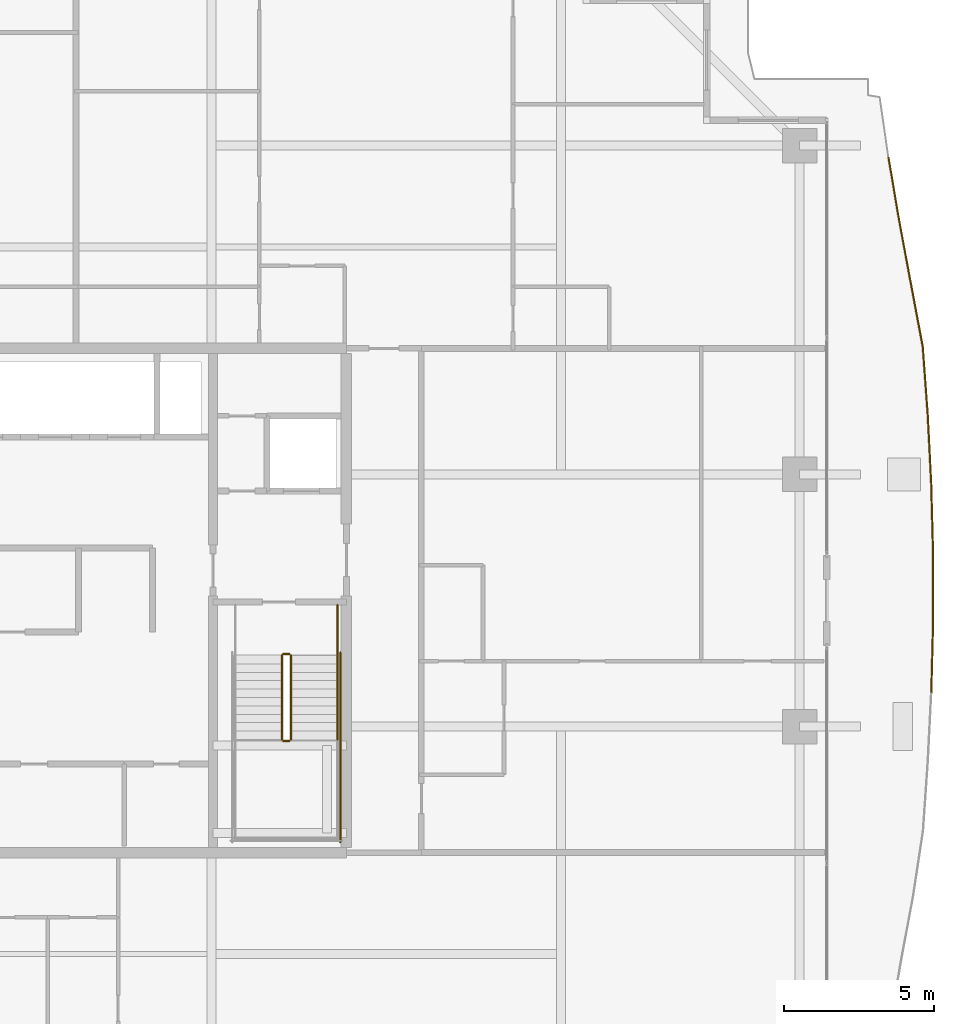
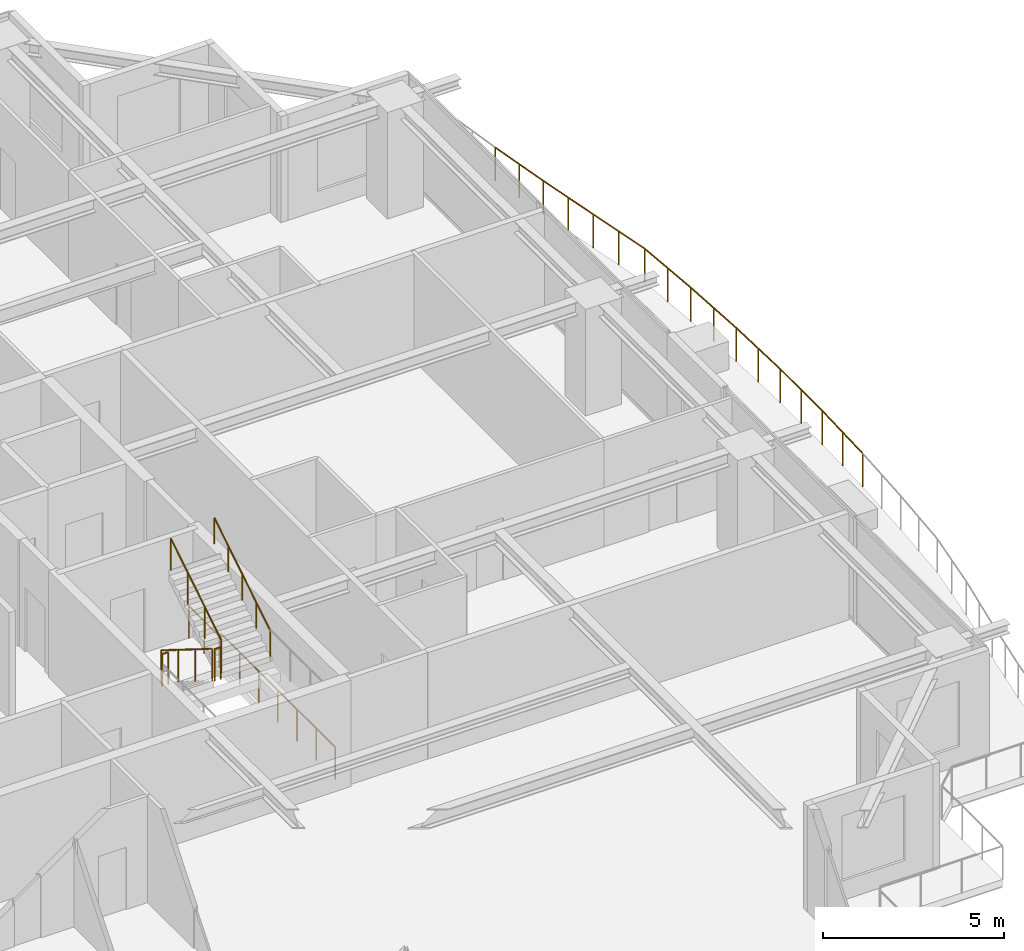
# One storey, part 36 of 37: 8 railings.
"""IFC4 building model written with IfcOpenShell, lengths in metres."""

import ifcopenshell
import ifcopenshell.guid

model = None  # the IFC model being written
_history = None  # IfcOwnerHistory: only IFC2X3 demands one
_inside = {}  # id of a spatial element -> (the spatial element, [elements in it])
_under = {}  # id of a project, library or spatial element -> (it, [spatial elements below it])
_declared = {}  # id of a project -> (the project, [libraries it declares])
_typed = {}  # id of a type object -> (the type object, [elements of that type])
_made_of = {}  # id of a material, layer set ... -> (it, [elements and type objects made of it])


def new_model(schema):
    """Start an empty IFC model of exactly this schema.

    Asked for "IFC4X3", IfcOpenShell would pick the latest addendum, in which some entities
    have other attributes; the version numbers below select the first issue.
    IFC2X3 requires an IfcOwnerHistory on every rooted entity: one is made here for all.
    """
    global model, _history
    if schema == "IFC4X3":
        model = ifcopenshell.file(schema_version=(4, 3, 0, 0))
    else:
        model = ifcopenshell.file(schema=schema)
    _inside.clear()
    _under.clear()
    _declared.clear()
    _typed.clear()
    _made_of.clear()
    _history = None
    if model.schema == "IFC2X3":
        org = make("IfcOrganization", Name="unknown")
        user = make(
            "IfcPersonAndOrganization",
            ThePerson=make("IfcPerson", FamilyName="unknown"),
            TheOrganization=org,
        )
        app = make(
            "IfcApplication",
            ApplicationDeveloper=org,
            Version="unknown",
            ApplicationFullName="unknown",
            ApplicationIdentifier="unknown",
        )
        _history = make(
            "IfcOwnerHistory",
            OwningUser=user,
            OwningApplication=app,
            ChangeAction="ADDED",
            CreationDate=0,
        )
    return model


def make(cls, **values):
    """One entity of the class cls with the attributes given. An attribute that is None is left unset."""
    return model.create_entity(
        cls, **{name: value for name, value in values.items() if value is not None}
    )


def rooted(cls, **values):
    """An entity with a GlobalId (a new one), such as an element, a storey or a relation."""
    return make(cls, GlobalId=ifcopenshell.guid.new(), OwnerHistory=_history, **values)


def si_unit(unit_type, name, prefix=None):
    """IfcSIUnit, for example si_unit("LENGTHUNIT", "METRE", prefix="MILLI")."""
    return make("IfcSIUnit", UnitType=unit_type, Prefix=prefix, Name=name)


def assignment(units):
    """IfcUnitAssignment: the units of a project."""
    return None if units is None else make("IfcUnitAssignment", Units=units)


def point(xyz):
    """IfcCartesianPoint."""
    return None if xyz is None else make("IfcCartesianPoint", Coordinates=xyz)


def direction(xyz):
    """IfcDirection."""
    return None if xyz is None else make("IfcDirection", DirectionRatios=xyz)


def frame(location, z_axis=None, x_axis=None):
    """IfcAxis2Placement3D, a coordinate frame: its origin and axes. An axis left out is left unset."""
    return make(
        "IfcAxis2Placement3D",
        Location=point(location),
        Axis=direction(z_axis),
        RefDirection=direction(x_axis),
    )


def frame_2d(location, x_axis=None):
    """IfcAxis2Placement2D, a coordinate frame in the plane: its origin and x axis."""
    return make(
        "IfcAxis2Placement2D", Location=point(location), RefDirection=direction(x_axis)
    )


def origin():
    """The frame at (0, 0, 0) with its axes left unset."""
    return frame((0.0, 0.0, 0.0))


def origin_2d():
    """The frame at (0, 0) in the plane with its x axis left unset."""
    return frame_2d((0.0, 0.0))


def place(relative_to, where):
    """IfcLocalPlacement: puts the frame where relative to a parent placement (None: the world)."""
    return make(
        "IfcLocalPlacement", PlacementRelTo=relative_to, RelativePlacement=where
    )


def context(
    kind, dimensions, precision=None, world=None, true_north=None, identifier=None
):
    """IfcGeometricRepresentationContext, for example the 3D "Model" context."""
    return make(
        "IfcGeometricRepresentationContext",
        ContextIdentifier=identifier,
        ContextType=kind,
        CoordinateSpaceDimension=dimensions,
        Precision=precision,
        WorldCoordinateSystem=world,
        TrueNorth=true_north,
    )


def subcontext(parent, identifier, kind, view, scale=None):
    """IfcGeometricRepresentationSubContext, for example "Body" below "Model"."""
    return make(
        "IfcGeometricRepresentationSubContext",
        ContextIdentifier=identifier,
        ContextType=kind,
        ParentContext=parent,
        TargetScale=scale,
        TargetView=view,
    )


def project(units=None, contexts=None):
    """IfcProject with its units and contexts."""
    return rooted(
        "IfcProject",
        Name="project",
        RepresentationContexts=contexts,
        UnitsInContext=assignment(units),
    )


def spatial(cls, under=None, at=None, **own):
    """A site, building, storey or space (cls), placed at a placement, below another one or the project."""
    s = rooted(cls, ObjectPlacement=at, **own)
    if under is not None:
        _under.setdefault(under.id(), (under, []))[1].append(s)
    return s


def profile(cls, at=None, kind="AREA", **sizes):
    """A parametric profile (cls). Its sizes go by their IFC names, for example OverallWidth=200.0."""
    return make(cls, ProfileType=kind, Position=at, **sizes)


def circle(**sizes):
    """IfcCircleProfileDef."""
    return profile("IfcCircleProfileDef", **sizes)


def extrude(swept, where, along, depth):
    """IfcExtrudedAreaSolid: the profile swept, set in the frame where, extruded along a direction by depth."""
    return make(
        "IfcExtrudedAreaSolid",
        SweptArea=swept,
        Position=where,
        ExtrudedDirection=direction(along),
        Depth=depth,
    )


def shape(context_of_items, identifier, shape_type, items):
    """IfcShapeRepresentation: the items that make up one representation, for example the "Body"."""
    return make(
        "IfcShapeRepresentation",
        ContextOfItems=context_of_items,
        RepresentationIdentifier=identifier,
        RepresentationType=shape_type,
        Items=items,
    )


def material(Name=None, Category=None):
    """IfcMaterial."""
    return make("IfcMaterial", Name=Name, Category=Category)


def made_of(thing, what):
    """Note that an element or type object is made of a material, layer set ...; save() writes the relation."""
    if what is not None:
        _made_of.setdefault(what.id(), (what, []))[1].append(thing)
    return thing


def type_object(cls, material=None, **own):
    """A type object (cls), such as IfcWallType, which elements share."""
    return made_of(rooted(cls, **own), material)


def element(
    cls,
    number,
    at=None,
    inside=None,
    cuts=None,
    type_object=None,
    material=None,
    context=None,
    identifier="Body",
    shape_type=None,
    held_by="IfcProductDefinitionShape",
    body=None,
    shapes=None,
    **own,
):
    """One element of the class cls, such as IfcWall. Its Tag is "e" and its number.

    at: its placement. inside: the storey or other place that contains it. cuts: it is an
    opening in that element (IfcRelVoidsElement). A single representation is given by context,
    identifier, shape_type and body (its items); several are given by shapes. held_by: the class
    of the entity that holds the representations. save() writes the other relations.
    """
    e = rooted(cls, Tag="e%d" % number, ObjectPlacement=at, **own)
    if body is not None:
        shapes = [shape(context, identifier, shape_type, body)]
    if shapes is not None:
        e.Representation = make(held_by, Representations=shapes)
    if inside is not None:
        _inside.setdefault(inside.id(), (inside, []))[1].append(e)
    if cuts is not None:
        rooted(
            "IfcRelVoidsElement", RelatingBuildingElement=cuts, RelatedOpeningElement=e
        )
    if type_object is not None:
        _typed.setdefault(type_object.id(), (type_object, []))[1].append(e)
    return made_of(e, material)


def aggregate(whole, parts):
    """IfcRelAggregates: a whole, such as a stair, and the parts it consists of."""
    return rooted("IfcRelAggregates", RelatingObject=whole, RelatedObjects=parts)


def save(model, path):
    """Write the relations noted so far, then the file.

    IfcRelAggregates (storeys below a building ...), IfcRelContainedInSpatialStructure (elements
    in a storey), IfcRelDefinesByType, IfcRelAssociatesMaterial and IfcRelDeclares: one each for
    every whole, place, type object, material and project.
    """
    for whole, parts in _under.values():
        aggregate(whole, parts)
    for where, things in _inside.values():
        rooted(
            "IfcRelContainedInSpatialStructure",
            RelatedElements=things,
            RelatingStructure=where,
        )
    for kind, things in _typed.values():
        rooted("IfcRelDefinesByType", RelatedObjects=things, RelatingType=kind)
    for what, things in _made_of.values():
        rooted("IfcRelAssociatesMaterial", RelatedObjects=things, RelatingMaterial=what)
    for by, libraries in _declared.values():
        rooted("IfcRelDeclares", RelatingContext=by, RelatedDefinitions=libraries)
    model.write(path)


model = new_model("IFC4")

# Units and contexts
model_context = context("Model", 3, precision=1e-05, world=origin(), true_north=direction((0.0, 1.0)))
body_context = subcontext(model_context, "Body", "Model", "MODEL_VIEW")
ifc_project = project(units=[si_unit("LENGTHUNIT", "METRE"), si_unit("AREAUNIT", "SQUARE_METRE"), si_unit("VOLUMEUNIT", "CUBIC_METRE"), si_unit("PLANEANGLEUNIT", "RADIAN"), si_unit("MASSUNIT", "GRAM", prefix="KILO")], contexts=[model_context])

# Site, building, storey
site_placement = place(None, origin())
site = spatial("IfcSite", under=ifc_project, at=site_placement, CompositionType="ELEMENT")
building_placement = place(site_placement, origin())
building = spatial("IfcBuilding", under=site, at=building_placement, Name="Serunith Strait Residences", CompositionType="ELEMENT")
storey_placement = place(building_placement, frame((0.0, 0.0, 233.550048828125)))
storey = spatial("IfcBuildingStorey", under=building, at=storey_placement, Name="L58", CompositionType="ELEMENT", Elevation=233.550048828125)

# Railings
ifc_material_1 = material(Name="Stainless Steel & Laminated Glass Balustrade", Category="steel")
railing_type_1 = type_object("IfcRailingType", Name="RLG-BALC-1150", PredefinedType="BALUSTRADE", material=ifc_material_1)
railing_1_placement = place(storey_placement, frame((59.460205078125, 39.94775390625, -0.050048828125)))
element("IfcRailing", 1, at=railing_1_placement, inside=storey, type_object=railing_type_1, Name="L58 Swirling Balcony Perimeter Balustrade 5", PredefinedType="BALUSTRADE", context=body_context, shape_type="SweptSolid", body=[
    extrude(circle(Radius=0.02392578125, at=origin_2d()), frame((0.000244140625, -0.001953125, 1.1259765625), z_axis=(0.166436675375, -0.986052145219, 0.0), x_axis=(0.986052145219, 0.166436675375, 0.0)), (0.0, 0.0, 1.0), 2.074462890625),
    extrude(circle(Radius=0.02392578125, at=origin_2d()), frame((0.34619140625, -2.051513671875, 1.1259765625), z_axis=(0.182714307388, -0.983166050002, 0.0), x_axis=(0.983166050002, 0.182714307388, 0.0)), (0.0, 0.0, 1.0), 2.121826171875),
    extrude(circle(Radius=0.02392578125, at=origin_2d()), frame((0.73486328125, -4.1416015625, 1.1259765625), z_axis=(0.184935795655, -0.982750604928, 0.0), x_axis=(0.982750604928, 0.184935795655, 0.0)), (0.0, 0.0, 1.0), 2.18212890625),
    extrude(circle(Radius=0.02392578125, at=origin_2d()), frame((1.138916015625, -6.2900390625, 1.1259765625), z_axis=(0.073048610449, -0.997328381483, 0.0), x_axis=(0.997328381483, 0.073048610449, 0.0)), (0.0, 0.0, 1.0), 2.2685546875),
    extrude(circle(Radius=0.02392578125, at=origin_2d()), frame((1.3046875, -8.556640625, 1.1259765625), z_axis=(0.05066180453, -0.998715866281, 0.0), x_axis=(0.998715866281, 0.05066180453, 0.0)), (0.0, 0.0, 1.0), 2.299560546875),
    extrude(circle(Radius=0.02392578125, at=origin_2d()), frame((1.42138671875, -10.857177734375, 1.1259765625), z_axis=(0.026480776761, -0.999649322744, 0.0), x_axis=(0.999649322744, 0.026480776761, 0.0)), (0.0, 0.0, 1.0), 2.3193359375),
    extrude(circle(Radius=0.02392578125, at=origin_2d()), frame((1.48291015625, -13.1796875, 1.1259765625), z_axis=(0.000209446011, -0.999999978066, 0.0), x_axis=(0.999999978066, 0.000209446011, 0.0)), (0.0, 0.0, 1.0), 2.327392578125),
    extrude(circle(Radius=0.02392578125, at=origin_2d()), frame((1.4833984375, -15.510986328125, 1.1259765625), z_axis=(-0.025829002039, -0.999666375674, 0.0), x_axis=(0.999666375674, -0.025829002039, 0.0)), (0.0, 0.0, 1.0), 2.3212890625),
    extrude(circle(Radius=0.02099609375, at=origin_2d()), origin(), (0.0, 0.0, 1.0), 1.099853515625),
    extrude(circle(Radius=0.02099609375, at=origin_2d()), frame((0.1728515625, -1.02490234375, 0.0)), (0.0, 0.0, 1.0), 1.099853515625),
    extrude(circle(Radius=0.02099609375, at=origin_2d()), frame((0.345947265625, -2.049560546875, 0.0)), (0.0, 0.0, 1.0), 1.099853515625),
    extrude(circle(Radius=0.02099609375, at=origin_2d()), frame((0.5400390625, -3.0947265625, 0.0)), (0.0, 0.0, 1.0), 1.099853515625),
    extrude(circle(Radius=0.02099609375, at=origin_2d()), frame((0.734375, -4.1396484375, 0.0)), (0.0, 0.0, 1.0), 1.099853515625),
    extrude(circle(Radius=0.02099609375, at=origin_2d()), frame((0.9365234375, -5.2138671875, 0.0)), (0.0, 0.0, 1.0), 1.099853515625),
    extrude(circle(Radius=0.02099609375, at=origin_2d()), frame((1.138671875, -6.2880859375, 0.0)), (0.0, 0.0, 1.0), 1.099853515625),
    extrude(circle(Radius=0.02099609375, at=origin_2d()), frame((1.2216796875, -7.42138671875, 0.0)), (0.0, 0.0, 1.0), 1.099853515625),
    extrude(circle(Radius=0.02099609375, at=origin_2d()), frame((1.3046875, -8.5546875, 0.0)), (0.0, 0.0, 1.0), 1.099853515625),
    extrude(circle(Radius=0.02099609375, at=origin_2d()), frame((1.363037109375, -9.705078125, 0.0)), (0.0, 0.0, 1.0), 1.099853515625),
    extrude(circle(Radius=0.02099609375, at=origin_2d()), frame((1.42138671875, -10.855224609375, 0.0)), (0.0, 0.0, 1.0), 1.099853515625),
    extrude(circle(Radius=0.02099609375, at=origin_2d()), frame((1.4521484375, -12.0166015625, 0.0)), (0.0, 0.0, 1.0), 1.099853515625),
    extrude(circle(Radius=0.02099609375, at=origin_2d()), frame((1.48291015625, -13.177734375, 0.0)), (0.0, 0.0, 1.0), 1.099853515625),
    extrude(circle(Radius=0.02099609375, at=origin_2d()), frame((1.483154296875, -14.34326171875, 0.0)), (0.0, 0.0, 1.0), 1.099853515625),
    extrude(circle(Radius=0.02099609375, at=origin_2d()), frame((1.4833984375, -15.509033203125, 0.0)), (0.0, 0.0, 1.0), 1.099853515625),
    extrude(circle(Radius=0.02099609375, at=origin_2d()), frame((1.453369140625, -16.67138671875, 0.0)), (0.0, 0.0, 1.0), 1.099853515625),
    extrude(circle(Radius=0.02099609375, at=origin_2d()), frame((1.42333984375, -17.83349609375, 0.0)), (0.0, 0.0, 1.0), 1.099853515625),
])
ifc_material_2 = material(Name="Brushed stainless steel 316L", Category="steel")
railing_type_2 = type_object("IfcRailingType", Name="RLG-STAIR-GUARD", PredefinedType="BALUSTRADE", material=ifc_material_2)
railing_2_placement = place(storey_placement, frame((39.25, 23.3701171875, 0.175048828125)))
element("IfcRailing", 2, at=railing_2_placement, inside=storey, type_object=railing_type_2, Name="L58 ST-2 stair guard 1", PredefinedType="BALUSTRADE", context=body_context, shape_type="SweptSolid", body=[
    extrude(circle(Radius=0.02392578125, at=origin_2d()), frame((0.0, -0.001708984375, 1.0771484375), z_axis=(0.0, -0.848002457836, 0.529992293815), x_axis=(1.0, 0.0, 0.0)), (0.0, 0.0, 1.0), 3.2978515625),
    extrude(circle(Radius=0.02099609375, at=origin_2d()), origin(), (0.0, 0.0, 1.0), 1.050048828125),
    extrude(circle(Radius=0.02099609375, at=origin_2d()), frame((0.0, -0.933349609375, 0.583251953125)), (0.0, 0.0, 1.0), 1.050048828125),
    extrude(circle(Radius=0.02099609375, at=origin_2d()), frame((0.0, -1.86669921875, 1.166748046875)), (0.0, 0.0, 1.0), 1.050048828125),
    extrude(circle(Radius=0.02099609375, at=origin_2d()), frame((0.0, -2.800048828125, 1.75)), (0.0, 0.0, 1.0), 1.050048828125),
])
railing_3_placement = place(storey_placement, frame((39.300048828125, 20.52001953125, 1.925048828125)))
element("IfcRailing", 3, at=railing_3_placement, inside=storey, type_object=railing_type_2, Name="L58 ST-2 stair guard 2", PredefinedType="BALUSTRADE", context=body_context, shape_type="SweptSolid", body=[
    extrude(circle(Radius=0.02392578125, at=origin_2d()), frame((0.001953125, 0.0, 1.076171875), z_axis=(1.0, 0.0, 0.0), x_axis=(0.0, 1.0, 0.0)), (0.0, 0.0, 1.0), 0.196044921875),
    extrude(circle(Radius=0.02099609375, at=origin_2d()), origin(), (0.0, 0.0, 1.0), 1.050048828125),
    extrude(circle(Radius=0.02099609375, at=origin_2d()), frame((0.199951171875, 0.0, 0.0)), (0.0, 0.0, 1.0), 1.050048828125),
])
railing_4_placement = place(storey_placement, frame((39.550048828125, 20.570068359375, 2.099853515625)))
element("IfcRailing", 4, at=railing_4_placement, inside=storey, type_object=railing_type_2, Name="L58 ST-2 stair guard 6", PredefinedType="BALUSTRADE", context=body_context, shape_type="SweptSolid", body=[
    extrude(circle(Radius=0.02392578125, at=origin_2d()), frame((0.0, 0.001708984375, 1.0771484375), z_axis=(0.0, 0.848002457836, 0.529992293815), x_axis=(-1.0, 0.0, 0.0)), (0.0, 0.0, 1.0), 3.2978515625),
    extrude(circle(Radius=0.02099609375, at=origin_2d()), origin(), (0.0, 0.0, 1.0), 1.050048828125),
    extrude(circle(Radius=0.02099609375, at=origin_2d()), frame((0.0, 0.933349609375, 0.583251953125)), (0.0, 0.0, 1.0), 1.050048828125),
    extrude(circle(Radius=0.02099609375, at=origin_2d()), frame((0.0, 1.86669921875, 1.166748046875)), (0.0, 0.0, 1.0), 1.050048828125),
    extrude(circle(Radius=0.02099609375, at=origin_2d()), frame((0.0, 2.800048828125, 1.75)), (0.0, 0.0, 1.0), 1.050048828125),
])
railing_5_placement = place(storey_placement, frame((39.300048828125, 23.419921875, 0.0)))
element("IfcRailing", 5, at=railing_5_placement, inside=storey, type_object=railing_type_2, Name="L58 ST-2 stair guard 7", PredefinedType="BALUSTRADE", context=body_context, shape_type="SweptSolid", body=[
    extrude(circle(Radius=0.02392578125, at=origin_2d()), frame((0.001953125, 0.0, 1.076171875), z_axis=(1.0, 0.0, 0.0), x_axis=(0.0, 1.0, 0.0)), (0.0, 0.0, 1.0), 0.196044921875),
    extrude(circle(Radius=0.02099609375, at=origin_2d()), origin(), (0.0, 0.0, 1.0), 1.050048828125),
    extrude(circle(Radius=0.02099609375, at=origin_2d()), frame((0.199951171875, 0.0, 0.0)), (0.0, 0.0, 1.0), 1.050048828125),
])
railing_6_placement = place(storey_placement, frame((41.10009765625, 25.050048828125, 0.0)))
element("IfcRailing", 6, at=railing_6_placement, inside=storey, type_object=railing_type_2, Name="L58 ST-2 stair guard 9", PredefinedType="BALUSTRADE", context=body_context, shape_type="SweptSolid", body=[
    extrude(circle(Radius=0.02392578125, at=origin_2d()), frame((0.0, -0.001953125, 1.076171875), z_axis=(0.0, -1.0, 0.0), x_axis=(1.0, 0.0, 0.0)), (0.0, 0.0, 1.0), 1.676025390625),
    extrude(circle(Radius=0.02099609375, at=origin_2d()), origin(), (0.0, 0.0, 1.0), 1.050048828125),
    extrude(circle(Radius=0.02099609375, at=origin_2d()), frame((0.0, -0.83984375, 0.0)), (0.0, 0.0, 1.0), 1.050048828125),
    extrude(circle(Radius=0.02099609375, at=origin_2d()), frame((0.0, -1.679931640625, 0.0)), (0.0, 0.0, 1.0), 1.050048828125),
])
railing_7_placement = place(storey_placement, frame((41.199951171875, 23.469970703125, 0.0)))
element("IfcRailing", 7, at=railing_7_placement, inside=storey, type_object=railing_type_2, Name="L58 ST-2 stair guard 11", PredefinedType="BALUSTRADE", context=body_context, shape_type="SweptSolid", body=[
    extrude(circle(Radius=0.02392578125, at=origin_2d()), frame((0.0, -0.001953125, 1.076171875), z_axis=(0.0, -1.0, 0.0), x_axis=(1.0, 0.0, 0.0)), (0.0, 0.0, 1.0), 6.316162109375),
    extrude(circle(Radius=0.02099609375, at=origin_2d()), origin(), (0.0, 0.0, 1.0), 1.050048828125),
    extrude(circle(Radius=0.02099609375, at=origin_2d()), frame((0.0, -1.05322265625, 0.0)), (0.0, 0.0, 1.0), 1.050048828125),
    extrude(circle(Radius=0.02099609375, at=origin_2d()), frame((0.0, -2.106689453125, 0.0)), (0.0, 0.0, 1.0), 1.050048828125),
    extrude(circle(Radius=0.02099609375, at=origin_2d()), frame((0.0, -3.16015625, 0.0)), (0.0, 0.0, 1.0), 1.050048828125),
    extrude(circle(Radius=0.02099609375, at=origin_2d()), frame((0.0, -4.21337890625, 0.0)), (0.0, 0.0, 1.0), 1.050048828125),
    extrude(circle(Radius=0.02099609375, at=origin_2d()), frame((0.0, -5.2666015625, 0.0)), (0.0, 0.0, 1.0), 1.050048828125),
    extrude(circle(Radius=0.02099609375, at=origin_2d()), frame((0.0, -6.320068359375, 0.0)), (0.0, 0.0, 1.0), 1.050048828125),
])
railing_type_3 = type_object("IfcRailingType", Name="RLG-STAIR-HR", PredefinedType="HANDRAIL", material=ifc_material_2)
railing_8_placement = place(storey_placement, frame((41.10009765625, 20.570068359375, 2.099853515625)))
element("IfcRailing", 8, at=railing_8_placement, inside=storey, type_object=railing_type_3, Name="L58 ST-2 stair handrail 2", PredefinedType="HANDRAIL", context=body_context, shape_type="SweptSolid", body=[
    extrude(circle(Radius=0.02392578125, at=origin_2d()), frame((0.0, 0.001708984375, 0.876953125), z_axis=(0.0, 0.847344832318, 0.531043063361), x_axis=(-1.0, 0.0, 0.0)), (0.0, 0.0, 1.0), 3.630615234375),
    extrude(circle(Radius=0.02099609375, at=origin_2d()), origin(), (0.0, 0.0, 1.0), 0.849853515625),
    extrude(circle(Radius=0.02099609375, at=origin_2d()), frame((0.0, 0.77001953125, 0.482421875)), (0.0, 0.0, 1.0), 0.849853515625),
    extrude(circle(Radius=0.02099609375, at=origin_2d()), frame((0.0, 1.5400390625, 0.965087890625)), (0.0, 0.0, 1.0), 0.849853515625),
    extrude(circle(Radius=0.02099609375, at=origin_2d()), frame((0.0, 2.309814453125, 1.44775390625)), (0.0, 0.0, 1.0), 0.849853515625),
    extrude(circle(Radius=0.02099609375, at=origin_2d()), frame((0.0, 3.079833984375, 1.93017578125)), (0.0, 0.0, 1.0), 0.849853515625),
])

save(model, "model.ifc")
